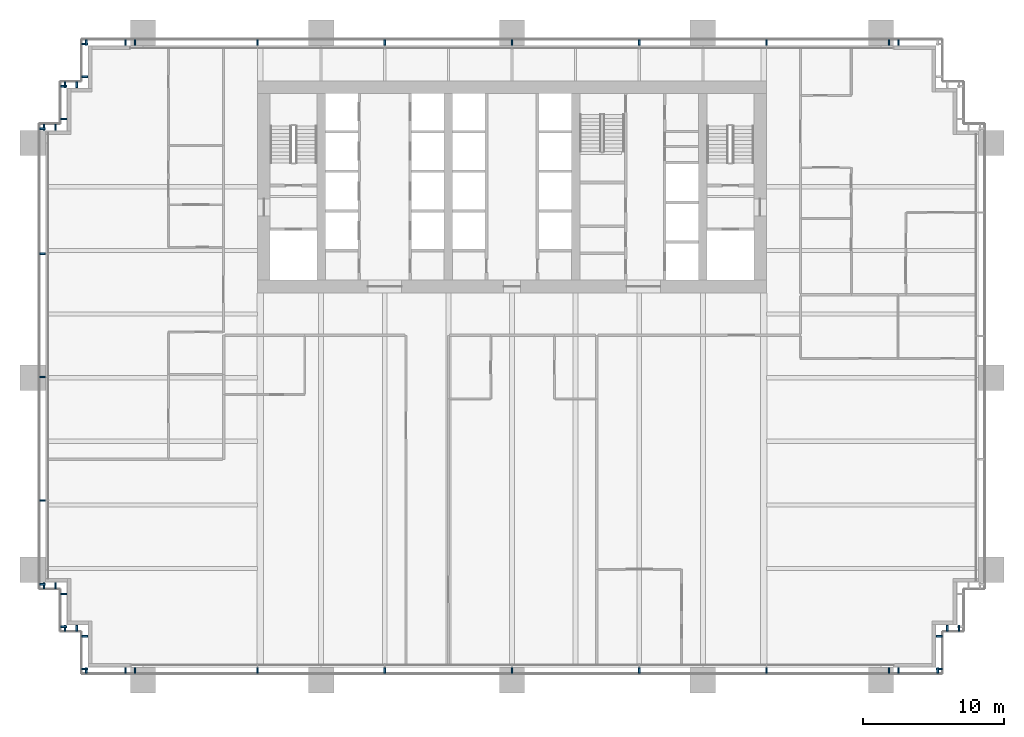
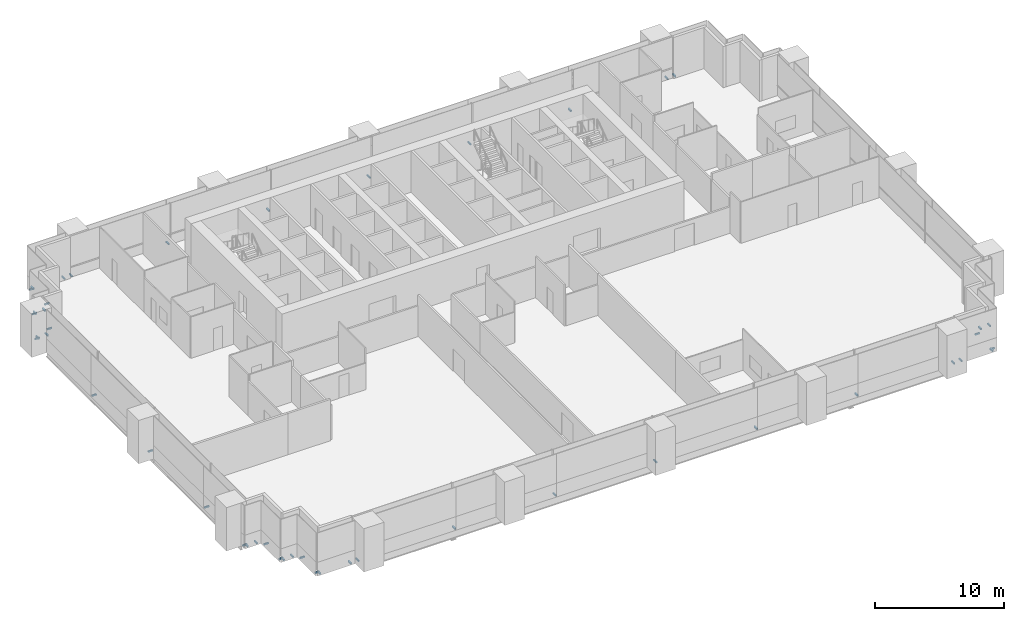
# One storey, part 15 of 19: 46 discrete accessories.
"""IFC4 building model written with IfcOpenShell, lengths in metres."""

from ifc_helpers import new_model, si_unit, direction, frame, origin, origin_2d, place, context, subcontext, project, spatial, rectangle, extrude, element, save


model = new_model("IFC4")

# Units and contexts
model_context = context("Model", 3, precision=1e-05, world=origin(), true_north=direction((0.0, 1.0)))
body_context = subcontext(model_context, "Body", "Model", "MODEL_VIEW")
ifc_project = project(units=[si_unit("LENGTHUNIT", "METRE"), si_unit("AREAUNIT", "SQUARE_METRE"), si_unit("VOLUMEUNIT", "CUBIC_METRE"), si_unit("PLANEANGLEUNIT", "RADIAN"), si_unit("MASSUNIT", "GRAM", prefix="KILO")], contexts=[model_context])

# Site, building, storey
site_placement = place(None, origin())
site = spatial("IfcSite", under=ifc_project, at=site_placement, CompositionType="ELEMENT")
building_placement = place(site_placement, origin())
building = spatial("IfcBuilding", under=site, at=building_placement, Name="Rattan Terrace Tower", CompositionType="ELEMENT")
storey_placement = place(building_placement, frame((0.0, 0.0, 52.89990234375)))
storey = spatial("IfcBuildingStorey", under=building, at=storey_placement, Name="L11", CompositionType="ELEMENT", Elevation=52.89990234375)

# Discrete accessories
for number, where, z_axis, x_axis, name in (
    (1, (27.340087890625, -34.2099609375, -0.169921875), (0.0, 0.0, 1.0), (1.0, 0.0, 0.0), "Panel bracket L11-1"),
    (2, (30.110107421875, -34.2099609375, -0.169921875), (0.0, 0.0, 1.0), (1.0, 0.0, 0.0), "Panel bracket L11-2"),
    (3, (30.2099609375, -34.110107421875, -0.169921875), (0.0, 0.0, 1.0), (0.0, 1.0, 0.0), "Panel bracket L11-3"),
    (4, (30.2099609375, -31.7900390625, -0.169921875), (0.0, 0.0, 1.0), (0.0, 1.0, 0.0), "Panel bracket L11-4"),
    (5, (30.7900390625, -31.2099609375, -0.169921875), (0.0, 0.0, 1.0), (1.0, 0.0, 0.0), "Panel bracket L11-5"),
    (6, (31.610107421875, -31.2099609375, -0.169921875), (0.0, 0.0, 1.0), (1.0, 0.0, 0.0), "Panel bracket L11-6"),
    (7, (27.340087890625, 10.2099609375, -0.169921875), (0.0, 0.0, 1.0), (-1.0, 0.0, 0.0), "Panel bracket L11-25"),
    (8, (26.659912109375, 10.2099609375, -0.169921875), (0.0, 0.0, 1.0), (-1.0, 0.0, 0.0), "Panel bracket L11-26"),
    (9, (18.0, 10.2099609375, -0.169921875), (0.0, 0.0, 1.0), (-1.0, 0.0, 0.0), "Panel bracket L11-27"),
    (10, (9.0, 10.2099609375, -0.169921875), (0.0, 0.0, 1.0), (-1.0, 0.0, 0.0), "Panel bracket L11-28"),
    (11, (0.0, 10.2099609375, -0.169921875), (0.0, 0.0, 1.0), (-1.0, 0.0, 0.0), "Panel bracket L11-29"),
    (12, (-9.0, 10.2099609375, -0.169921875), (0.0, 0.0, 1.0), (-1.0, 0.0, 0.0), "Panel bracket L11-30"),
    (13, (-18.0, 10.2099609375, -0.169921875), (0.0, 0.0, 1.0), (-1.0, 0.0, 0.0), "Panel bracket L11-31"),
    (14, (-26.659912109375, 10.2099609375, -0.169921875), (0.0, 0.0, 1.0), (-1.0, 0.0, 0.0), "Panel bracket L11-32"),
    (15, (-27.340087890625, 10.2099609375, -0.169921875), (0.0, 0.0, 1.0), (-1.0, 0.0, 0.0), "Panel bracket L11-33"),
    (16, (-30.110107421875, 10.2099609375, -0.169921875), (0.0, 0.0, 1.0), (-1.0, 0.0, 0.0), "Panel bracket L11-34"),
    (17, (-30.2099609375, 10.110107421875, -0.169921875), (0.0, 0.0, 1.0), (0.0, -1.0, 0.0), "Panel bracket L11-35"),
    (18, (-30.2099609375, 7.7900390625, -0.169921875), (0.0, 0.0, 1.0), (0.0, -1.0, 0.0), "Panel bracket L11-36"),
    (19, (-30.7900390625, 7.2099609375, -0.169921875), (0.0, 0.0, 1.0), (-1.0, 0.0, 0.0), "Panel bracket L11-37"),
    (20, (-31.610107421875, 7.2099609375, -0.169921875), (0.0, 0.0, 1.0), (-1.0, 0.0, 0.0), "Panel bracket L11-38"),
    (21, (-31.7099609375, 7.110107421875, -0.169921875), (0.0, 0.0, 1.0), (0.0, -1.0, 0.0), "Panel bracket L11-39"),
    (22, (-31.7099609375, 4.7900390625, -0.169921875), (0.0, 0.0, 1.0), (0.0, -1.0, 0.0), "Panel bracket L11-40"),
    (23, (-32.2900390625, 4.2099609375, -0.169921875), (0.0, 0.0, 1.0), (-1.0, 0.0, 0.0), "Panel bracket L11-41"),
    (24, (-33.110107421875, 4.2099609375, -0.169921875), (0.0, 0.0, 1.0), (-1.0, 0.0, 0.0), "Panel bracket L11-42"),
    (25, (-33.2099609375, 4.110107421875, -0.169921875), (0.0, 0.0, 1.0), (0.0, -1.0, 0.0), "Panel bracket L11-43"),
    (26, (-33.2099609375, -4.72705078125, -0.169921875), (0.0, 0.0, 1.0), (0.0, -1.0, 0.0), "Panel bracket L11-44"),
    (27, (-33.2099609375, -13.4541015625, -0.169921875), (0.0, 0.0, 1.0), (0.0, -1.0, 0.0), "Panel bracket L11-45"),
    (28, (-33.2099609375, -22.180908203125, -0.169921875), (0.0, 0.0, 1.0), (0.0, -1.0, 0.0), "Panel bracket L11-46"),
    (29, (-33.2099609375, -28.110107421875, -0.169921875), (0.0, 0.0, 1.0), (0.0, -1.0, 0.0), "Panel bracket L11-47"),
    (30, (-33.110107421875, -28.2099609375, -0.169921875), (0.0, 0.0, 1.0), (1.0, 0.0, 0.0), "Panel bracket L11-48"),
    (31, (-32.2900390625, -28.2099609375, -0.169921875), (0.0, 0.0, 1.0), (1.0, 0.0, 0.0), "Panel bracket L11-49"),
    (32, (-31.7099609375, -28.7900390625, -0.169921875), (0.0, 0.0, 1.0), (0.0, -1.0, 0.0), "Panel bracket L11-50"),
    (33, (-31.7099609375, -31.110107421875, -0.169921875), (0.0, 0.0, 1.0), (0.0, -1.0, 0.0), "Panel bracket L11-51"),
    (34, (-31.610107421875, -31.2099609375, -0.169921875), (0.0, 0.0, 1.0), (1.0, 0.0, 0.0), "Panel bracket L11-52"),
    (35, (-30.7900390625, -31.2099609375, -0.169921875), (0.0, 0.0, 1.0), (1.0, 0.0, 0.0), "Panel bracket L11-53"),
    (36, (-30.2099609375, -31.7900390625, -0.169921875), (0.0, 0.0, 1.0), (0.0, -1.0, 0.0), "Panel bracket L11-54"),
    (37, (-30.2099609375, -34.110107421875, -0.169921875), (0.0, 0.0, 1.0), (0.0, -1.0, 0.0), "Panel bracket L11-55"),
    (38, (-30.110107421875, -34.2099609375, -0.169921875), (0.0, 0.0, 1.0), (1.0, 0.0, 0.0), "Panel bracket L11-56"),
    (39, (-27.340087890625, -34.2099609375, -0.169921875), (0.0, 0.0, 1.0), (1.0, 0.0, 0.0), "Panel bracket L11-57"),
    (40, (-26.659912109375, -34.2099609375, -0.169921875), (0.0, 0.0, 1.0), (1.0, 0.0, 0.0), "Panel bracket L11-58"),
    (41, (-18.0, -34.2099609375, -0.169921875), (0.0, 0.0, 1.0), (1.0, 0.0, 0.0), "Panel bracket L11-59"),
    (42, (-9.0, -34.2099609375, -0.169921875), (0.0, 0.0, 1.0), (1.0, 0.0, 0.0), "Panel bracket L11-60"),
    (43, (0.0, -34.2099609375, -0.169921875), (0.0, 0.0, 1.0), (1.0, 0.0, 0.0), "Panel bracket L11-61"),
    (44, (9.0, -34.2099609375, -0.169921875), (0.0, 0.0, 1.0), (1.0, 0.0, 0.0), "Panel bracket L11-62"),
    (45, (18.0, -34.2099609375, -0.169921875), (0.0, 0.0, 1.0), (1.0, 0.0, 0.0), "Panel bracket L11-63"),
    (46, (26.659912109375, -34.2099609375, -0.169921875), (0.0, 0.0, 1.0), (1.0, 0.0, 0.0), "Panel bracket L11-64"),
):
    element("IfcDiscreteAccessory", number, at=place(storey_placement, frame(where, z_axis=z_axis, x_axis=x_axis)), inside=storey, Name=name, PredefinedType="BRACKET", context=body_context, shape_type="SweptSolid", body=[
        extrude(rectangle(XDim=0.1201171875, YDim=0.419921875, at=origin_2d()), origin(), (0.0, 0.0, 1.0), 0.139892578125),
    ])

save(model, "model.ifc")
